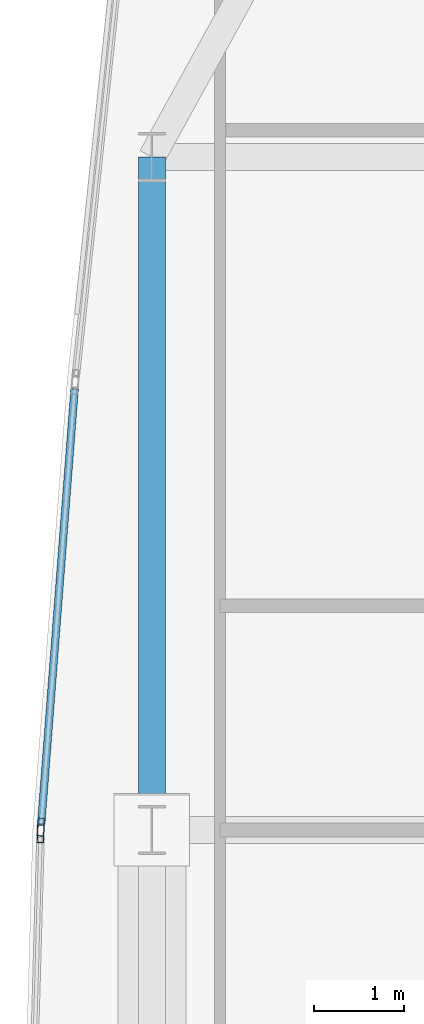
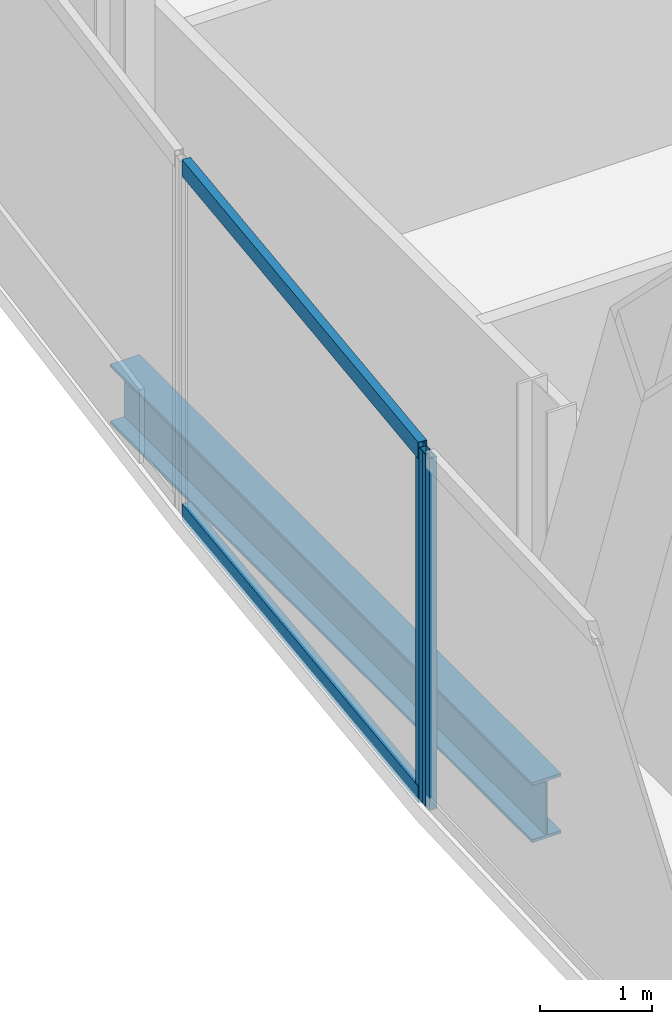
# One storey, part 12 of 32: 4 members, 1 beam, 2 elements without a shape of their own.
"""IFC4 building model written with IfcOpenShell, lengths in metres."""

from ifc_helpers import new_model, si_unit, direction, frame, origin, origin_2d, place, context, subcontext, project, spatial, hollow_rectangle, i_section, extrude, material, material_profile, profile_set, type_object, element, aggregate, save


model = new_model("IFC4")

# Units and contexts
model_context = context("Model", 3, precision=1e-05, world=origin(), true_north=direction((0.0, 1.0)))
body_context = subcontext(model_context, "Body", "Model", "MODEL_VIEW")
ifc_project = project(units=[si_unit("LENGTHUNIT", "METRE"), si_unit("AREAUNIT", "SQUARE_METRE"), si_unit("VOLUMEUNIT", "CUBIC_METRE"), si_unit("PLANEANGLEUNIT", "RADIAN"), si_unit("MASSUNIT", "GRAM", prefix="KILO")], contexts=[model_context])

# Site, building, storey
site_placement = place(None, origin())
site = spatial("IfcSite", under=ifc_project, at=site_placement, CompositionType="ELEMENT")
building_placement = place(site_placement, origin())
building = spatial("IfcBuilding", under=site, at=building_placement, Name="Khoronbel Lancet Exchange", CompositionType="ELEMENT")
storey_placement = place(building_placement, frame((0.0, 0.0, 94.60009765625)))
storey = spatial("IfcBuildingStorey", under=building, at=storey_placement, Name="L22", CompositionType="ELEMENT", Elevation=94.60009765625)

# Beam
ifc_material_1 = material(Name="Steel S355", Category="steel")
ifc_material_profile_1 = material_profile(ifc_material_1, i_section(OverallWidth=0.300048828125, OverallDepth=0.64990234375, WebThickness=0.01611328125, FlangeThickness=0.031005859375, at=origin_2d()), Name="HEB 650")
ifc_profile_set_1 = profile_set([ifc_material_profile_1], Name="Steel S355")
beam_type = type_object("IfcBeamType", Name="BM-BSP1", PredefinedType="SPANDREL", material=ifc_profile_set_1)
beam_placement = place(storey_placement, frame((3.27001953125, 43.199951171875, -0.505126953125), z_axis=(0.0, -1.0, 0.0), x_axis=(1.0, 0.0, 0.0)))
element("IfcBeam", 1, at=beam_placement, inside=storey, type_object=beam_type, Name="Level L22 perimeter spandrel beam SP17", PredefinedType="SPANDREL", context=body_context, shape_type="SweptSolid", body=[
    extrude(i_section(OverallWidth=0.300048828125, OverallDepth=0.64990234375, WebThickness=0.01611328125, FlangeThickness=0.031005859375, at=origin_2d()), origin(), (0.0, 0.0, 1.0), 7.5),
])

# Curtain wall, member
ifc_material_2 = material(Name="Low-E Solar Control Insulating Glass", Category="glass")
curtain_wall_type = type_object("IfcCurtainWallType", Name="CW-4", PredefinedType="NOTDEFINED", material=ifc_material_2)
curtain_wall_1_placement = place(storey_placement, origin())
curtain_wall_1 = element("IfcCurtainWall", 2, at=curtain_wall_1_placement, inside=storey, type_object=curtain_wall_type, Name="Unitised curtain wall CW-L22-E07", PredefinedType="NOTDEFINED")
ifc_material_3 = material(Name="Bronze-Anodised Aluminium 6063-T6", Category="aluminium")
ifc_material_profile_2 = material_profile(ifc_material_3, hollow_rectangle(XDim=0.074951171875, YDim=0.199951171875, WallThickness=0.0048828125, at=origin_2d()), Name="ALU MULLION 75x200")
ifc_profile_set_2 = profile_set([ifc_material_profile_2], Name="Bronze-Anodised Aluminium 6063-T6")
member_type_1 = type_object("IfcMemberType", Name="MEM-CWM2", PredefinedType="MULLION", material=ifc_profile_set_2)
member_1_placement = place(storey_placement, frame((2.029541015625, 35.65771484375, 0.0), z_axis=(0.0, 0.0, 1.0), x_axis=(-0.999604123662, 0.028135315146, 0.0)))
member_1 = element("IfcMember", 3, at=member_1_placement, type_object=member_type_1, Name="CW4 mullion 2", PredefinedType="MULLION", context=body_context, shape_type="SweptSolid", body=[
    extrude(hollow_rectangle(XDim=0.074951171875, YDim=0.199951171875, WallThickness=0.0048828125, at=origin_2d()), origin(), (0.0, 0.0, 1.0), 3.81982421875),
])
aggregate(curtain_wall_1, [member_1])

# Curtain wall, members
curtain_wall_2_placement = place(storey_placement, origin())
curtain_wall_2 = element("IfcCurtainWall", 4, at=curtain_wall_2_placement, inside=storey, type_object=curtain_wall_type, Name="Unitised curtain wall CW-L22-E08", PredefinedType="NOTDEFINED")
member_2_placement = place(storey_placement, frame((2.033447265625, 35.732666015625, 0.0), z_axis=(0.0, 0.0, 1.0), x_axis=(-0.997059882555, 0.076626304874, 0.0)))
member_2 = element("IfcMember", 5, at=member_2_placement, type_object=member_type_1, Name="CW4 mullion 1", PredefinedType="MULLION", context=body_context, shape_type="SweptSolid", body=[
    extrude(hollow_rectangle(XDim=0.074951171875, YDim=0.199951171875, WallThickness=0.0048828125, at=origin_2d()), origin(), (0.0, 0.0, 1.0), 3.81982421875),
])
ifc_material_profile_3 = material_profile(ifc_material_3, hollow_rectangle(XDim=0.0849609375, YDim=0.179931640625, WallThickness=0.0048828125, at=origin_2d()), Name="ALU TRANSOM 85x180")
ifc_profile_set_3 = profile_set([ifc_material_profile_3], Name="Bronze-Anodised Aluminium 6063-T6")
member_type_2 = type_object("IfcMemberType", Name="MEM-CWT1", PredefinedType="USERDEFINED", material=ifc_profile_set_3)
member_3_placement = place(storey_placement, frame((2.036376953125, 35.77001953125, 0.04248046875), z_axis=(0.076635053626, 0.997059210155, 0.0), x_axis=(-0.997059210155, 0.076635053626, 0.0)))
member_3 = element("IfcMember", 6, at=member_3_placement, type_object=member_type_2, Name="CW4 transom 1.1", ObjectType="TRANSOM", PredefinedType="USERDEFINED", context=body_context, shape_type="SweptSolid", body=[
    extrude(hollow_rectangle(XDim=0.0849609375, YDim=0.179931640625, WallThickness=0.0048828125, at=origin_2d()), origin(), (0.0, 0.0, 1.0), 4.861572265625),
])
member_4_placement = place(storey_placement, frame((2.036376953125, 35.77001953125, 3.77734375), z_axis=(0.076635053626, 0.997059210155, 0.0), x_axis=(-0.997059210155, 0.076635053626, 0.0)))
member_4 = element("IfcMember", 7, at=member_4_placement, type_object=member_type_2, Name="CW4 transom 1.2", ObjectType="TRANSOM", PredefinedType="USERDEFINED", context=body_context, shape_type="SweptSolid", body=[
    extrude(hollow_rectangle(XDim=0.0849609375, YDim=0.179931640625, WallThickness=0.0048828125, at=origin_2d()), origin(), (0.0, 0.0, 1.0), 4.861572265625),
])
aggregate(curtain_wall_2, [member_2, member_3, member_4])

save(model, "model.ifc")
